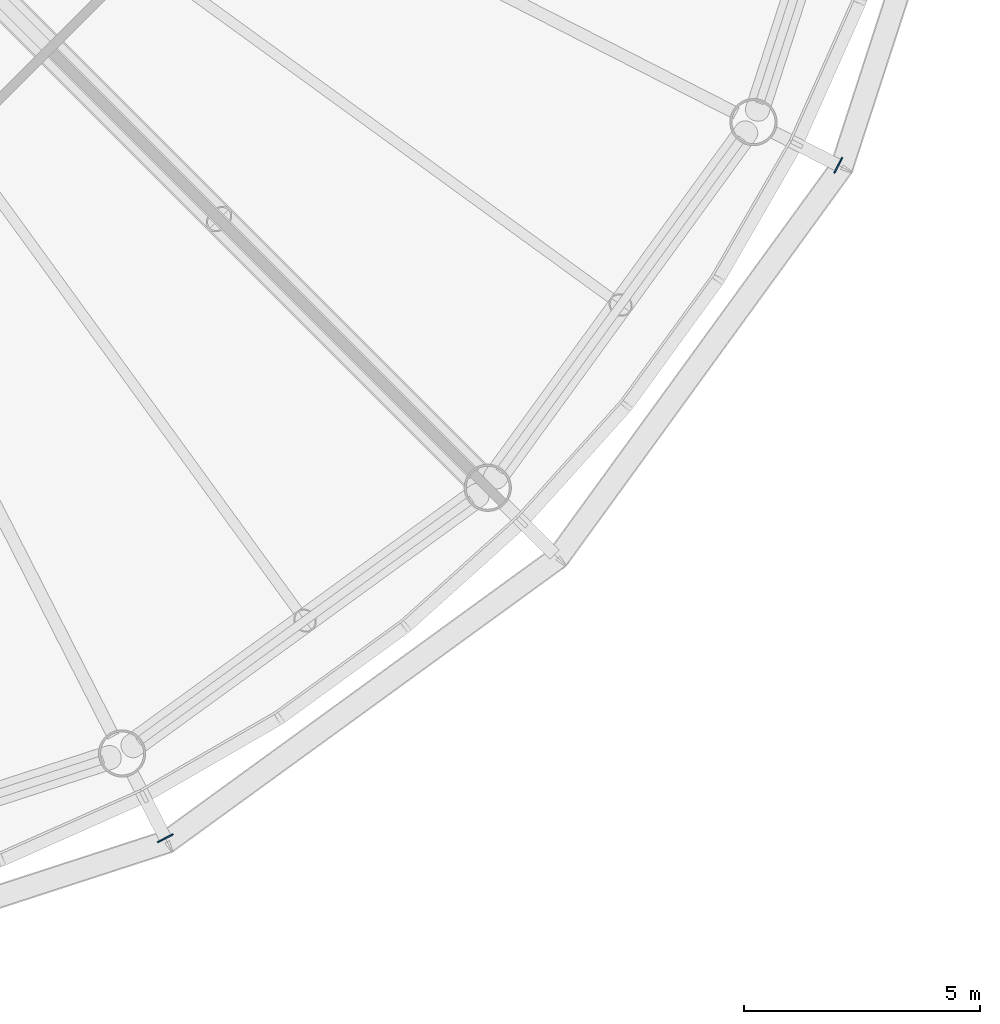
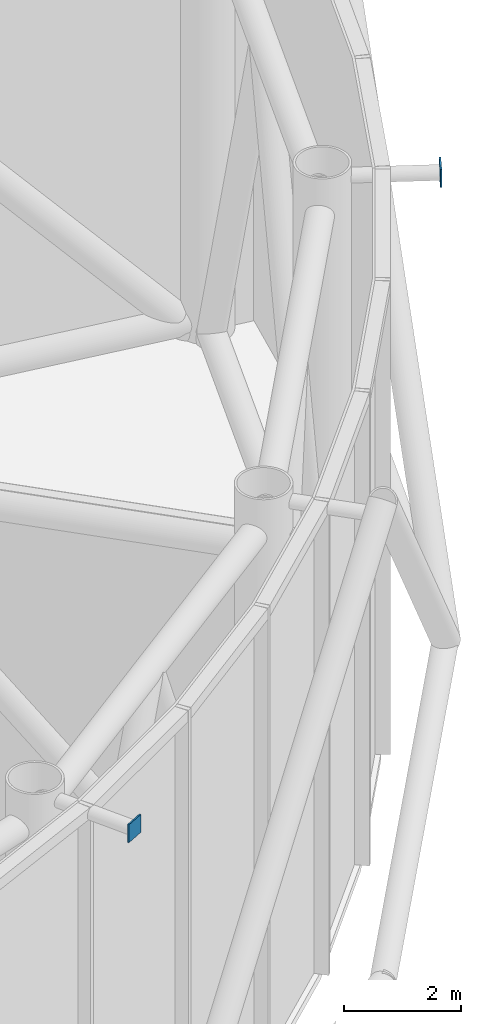
# One storey, part 14 of 23: 2 discrete accessories.
"""IFC4 building model written with IfcOpenShell, lengths in metres."""

from ifc_helpers import new_model, si_unit, direction, frame, origin, origin_2d, place, context, subcontext, project, spatial, rectangle, extrude, material, element, save


model = new_model("IFC4")

# Units and contexts
model_context = context("Model", 3, precision=1e-05, world=origin(), true_north=direction((0.0, 1.0)))
body_context = subcontext(model_context, "Body", "Model", "MODEL_VIEW")
ifc_project = project(units=[si_unit("LENGTHUNIT", "METRE"), si_unit("AREAUNIT", "SQUARE_METRE"), si_unit("VOLUMEUNIT", "CUBIC_METRE"), si_unit("PLANEANGLEUNIT", "RADIAN"), si_unit("MASSUNIT", "GRAM", prefix="KILO")], contexts=[model_context])

# Site, building, storey
site_placement = place(None, origin())
site = spatial("IfcSite", under=ifc_project, at=site_placement, CompositionType="ELEMENT")
building_placement = place(site_placement, origin())
building = spatial("IfcBuilding", under=site, at=building_placement, Name="Entoto Ring Tower", CompositionType="ELEMENT")
storey_placement = place(building_placement, frame((0.0, 0.0, 392.0)))
storey = spatial("IfcBuildingStorey", under=building, at=storey_placement, Name="L91", CompositionType="ELEMENT", Elevation=392.0)

# Discrete accessories
ifc_material = material(Name="Steel S355", Category="steel")
for number, where, z_axis, x_axis, name in (
    (1, (104.806884765625, 50.93994140625, 9.52685546875), (0.0, 0.0, 1.0), (0.45399049974, -0.891006524188, 0.0), "Node strut end plate DS2 ring 29 16"),
    (2, (119.06005859375, 65.193115234375, 9.52685546875), (0.0, 0.0, 1.0), (0.891006524188, -0.45399049974, 0.0), "Node strut end plate DS2 ring 29 18"),
):
    element("IfcDiscreteAccessory", number, at=place(storey_placement, frame(where, z_axis=z_axis, x_axis=x_axis)), inside=storey, material=ifc_material, Name=name, PredefinedType="BRACKET", context=body_context, shape_type="SweptSolid", body=[
        extrude(rectangle(XDim=0.030029296875, YDim=0.373046875, at=origin_2d()), origin(), (0.0, 0.0, 1.0), 0.373046875),
    ])

save(model, "model.ifc")
